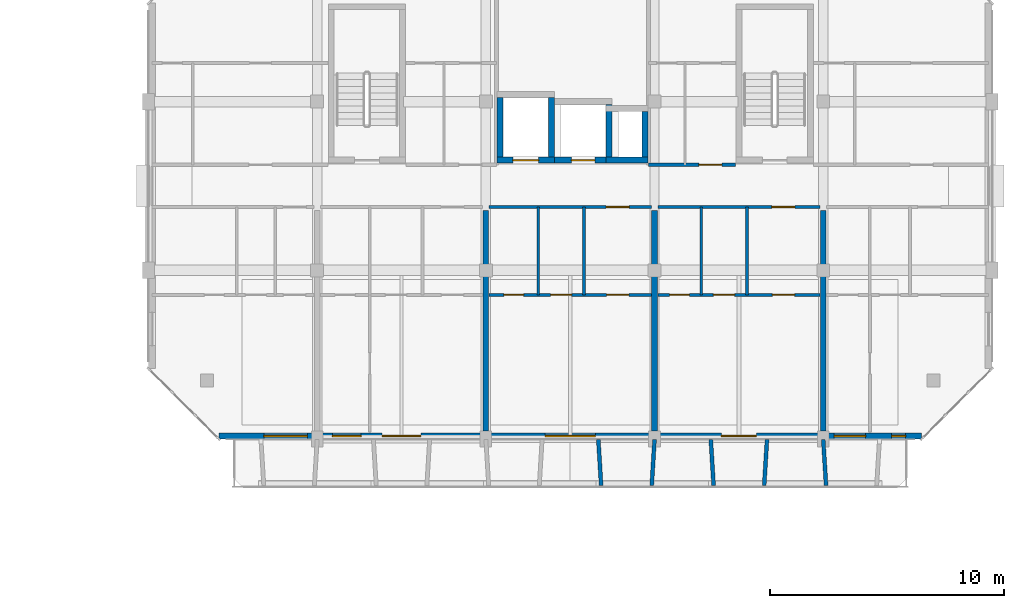
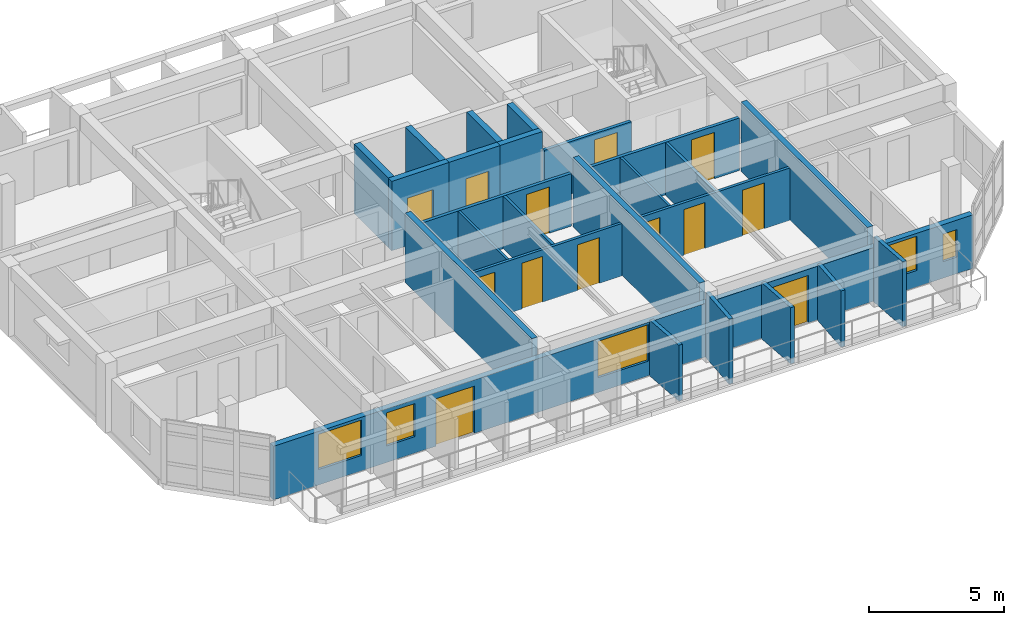
# One storey, part 41 of 64: 25 walls, 13 doors, 5 windows, 18 openings.
"""IFC4 building model written with IfcOpenShell, lengths in metres."""

from ifc_helpers import new_model, si_unit, direction, frame, frame_2d, origin, place, context, subcontext, project, spatial, rectangle, extrude, material, layer, layer_set, type_object, element, fill, save


model = new_model("IFC4")

# Units and contexts
model_context = context("Model", 3, precision=1e-05, world=origin(), true_north=direction((0.0, 1.0)))
body_context = subcontext(model_context, "Body", "Model", "MODEL_VIEW")
ifc_project = project(units=[si_unit("LENGTHUNIT", "METRE"), si_unit("AREAUNIT", "SQUARE_METRE"), si_unit("VOLUMEUNIT", "CUBIC_METRE"), si_unit("PLANEANGLEUNIT", "RADIAN"), si_unit("MASSUNIT", "GRAM", prefix="KILO")], contexts=[model_context])

# Site, building, storey
site_placement = place(None, origin())
site = spatial("IfcSite", under=ifc_project, at=site_placement, CompositionType="ELEMENT")
building_placement = place(site_placement, origin())
building = spatial("IfcBuilding", under=site, at=building_placement, Name="Ochrevale Crest", CompositionType="ELEMENT")
storey_placement = place(building_placement, frame((0.0, 0.0, 8.699951171875)))
storey = spatial("IfcBuildingStorey", under=building, at=storey_placement, Name="L02", CompositionType="ELEMENT", Elevation=8.699951171875)

# Wall, opening, door
ifc_material_1 = material(Name="Gypsum plasterboard", Category="gypsum")
ifc_layer_1 = layer(ifc_material_1, 0.139892578125)
ifc_layer_set_1 = layer_set([ifc_layer_1], Name="Gypsum plasterboard")
wall_type_1 = type_object("IfcWallType", Name="WL-COR-140", PredefinedType="PARTITIONING", material=ifc_layer_set_1)
wall_1_placement = place(storey_placement, frame((144.139892578125, 24.300048828125, 0.0), z_axis=(0.0, 0.0, 1.0), x_axis=(1.0, 0.0, 0.0)))
wall_1 = element("IfcWall", 1, at=wall_1_placement, inside=storey, type_object=wall_type_1, Name="Apartment C-L02-U3 corridor wall", PredefinedType="PARTITIONING", context=body_context, shape_type="SweptSolid", body=[
    extrude(rectangle(XDim=6.920166015625, YDim=0.139892578125, at=frame_2d((3.4599609375, 0.0))), origin(), (0.0, 0.0, 1.0), 2.380126953125),
])
opening_1_placement = place(wall_1_placement, frame((4.9951171875, 0.0, 0.0)))
opening_1 = element("IfcOpeningElement", 2, at=opening_1_placement, cuts=wall_1, Name="Opening FD01", PredefinedType="OPENING", context=body_context, shape_type="SweptSolid", body=[
    extrude(rectangle(XDim=0.97998046875, YDim=2.10009765625, at=frame_2d((0.489990234375, 1.050048828125))), frame((0.0, 0.080078125, 0.0), z_axis=(0.0, -1.0, 0.0), x_axis=(1.0, 0.0, 0.0)), (0.0, 0.0, 1.0), 0.159912109375),
])
ifc_material_2 = material(Name="Solid-core FSC hardwood", Category="wood")
door_type_1 = type_object("IfcDoorType", Name="DR-APT-950", OperationType="NOTDEFINED", PredefinedType="DOOR", material=ifc_material_2)
door_1_placement = place(opening_1_placement, origin())
door_1 = element("IfcDoor", 3, at=door_1_placement, inside=storey, type_object=door_type_1, Name="Apartment C-L02-U3 entrance door", OperationType="SINGLE_SWING_LEFT", OverallHeight=2.10009765625, OverallWidth=0.97998046875, PredefinedType="DOOR", context=body_context, shape_type="SweptSolid", body=[
    extrude(rectangle(XDim=0.97998046875, YDim=2.10009765625, at=frame_2d((0.489990234375, 1.050048828125))), frame((0.0, 0.02490234375, 0.0), z_axis=(0.0, -1.0, 0.0), x_axis=(1.0, 0.0, 0.0)), (0.0, 0.0, 1.0), 0.050048828125),
])
fill(opening_1, door_1)

wall_2_placement = place(storey_placement, frame((151.340087890625, 24.300048828125, 0.0), z_axis=(0.0, 0.0, 1.0), x_axis=(1.0, 0.0, 0.0)))
wall_2 = element("IfcWall", 4, at=wall_2_placement, inside=storey, type_object=wall_type_1, Name="Apartment C-L02-U4 corridor wall", PredefinedType="PARTITIONING", context=body_context, shape_type="SweptSolid", body=[
    extrude(rectangle(XDim=6.919921875, YDim=0.139892578125, at=frame_2d((3.4599609375, 0.0))), origin(), (0.0, 0.0, 1.0), 2.380126953125),
])
opening_2_placement = place(wall_2_placement, frame((4.8701171875, 0.0, 0.0)))
opening_2 = element("IfcOpeningElement", 5, at=opening_2_placement, cuts=wall_2, Name="Opening FD01", PredefinedType="OPENING", context=body_context, shape_type="SweptSolid", body=[
    extrude(rectangle(XDim=0.97998046875, YDim=2.10009765625, at=frame_2d((0.489990234375, 1.050048828125))), frame((0.0, 0.080078125, 0.0), z_axis=(0.0, -1.0, 0.0), x_axis=(1.0, 0.0, 0.0)), (0.0, 0.0, 1.0), 0.159912109375),
])
door_2_placement = place(opening_2_placement, origin())
door_2 = element("IfcDoor", 6, at=door_2_placement, inside=storey, type_object=door_type_1, Name="Apartment C-L02-U4 entrance door", OperationType="SINGLE_SWING_LEFT", OverallHeight=2.10009765625, OverallWidth=0.97998046875, PredefinedType="DOOR", context=body_context, shape_type="SweptSolid", body=[
    extrude(rectangle(XDim=0.97998046875, YDim=2.10009765625, at=frame_2d((0.489990234375, 1.050048828125))), frame((0.0, 0.02490234375, 0.0), z_axis=(0.0, -1.0, 0.0), x_axis=(1.0, 0.0, 0.0)), (0.0, 0.0, 1.0), 0.050048828125),
])
fill(opening_2, door_2)

wall_3_placement = place(storey_placement, frame((150.93994140625, 26.10009765625, 0.0), z_axis=(0.0, 0.0, 1.0), x_axis=(1.0, 0.0, 0.0)))
wall_3 = element("IfcWall", 7, at=wall_3_placement, inside=storey, type_object=wall_type_1, Name="Suite C-L02-ME corridor wall", PredefinedType="PARTITIONING", context=body_context, shape_type="SweptSolid", body=[
    extrude(rectangle(XDim=3.719970703125, YDim=0.139892578125, at=frame_2d((1.85986328125, 0.0))), origin(), (0.0, 0.0, 1.0), 2.380126953125),
])
opening_3_placement = place(wall_3_placement, frame((3.131103515625, 0.0, 0.0), z_axis=(0.0, 0.0, 1.0), x_axis=(-1.0, 0.0, 0.0)))
opening_3 = element("IfcOpeningElement", 8, at=opening_3_placement, cuts=wall_3, Name="Opening FD01", PredefinedType="OPENING", context=body_context, shape_type="SweptSolid", body=[
    extrude(rectangle(XDim=0.97998046875, YDim=2.10009765625, at=frame_2d((0.489990234375, 1.050048828125))), frame((0.0, 0.080078125, 0.0), z_axis=(0.0, -1.0, 0.0), x_axis=(1.0, 0.0, 0.0)), (0.0, 0.0, 1.0), 0.159912109375),
])
door_3_placement = place(opening_3_placement, origin())
door_3 = element("IfcDoor", 9, at=door_3_placement, inside=storey, type_object=door_type_1, Name="Suite C-L02-ME entrance door", OperationType="SINGLE_SWING_RIGHT", OverallHeight=2.10009765625, OverallWidth=0.97998046875, PredefinedType="DOOR", context=body_context, shape_type="SweptSolid", body=[
    extrude(rectangle(XDim=0.97998046875, YDim=2.10009765625, at=frame_2d((0.489990234375, 1.050048828125))), frame((0.0, 0.02490234375, 0.0), z_axis=(0.0, -1.0, 0.0), x_axis=(1.0, 0.0, 0.0)), (0.0, 0.0, 1.0), 0.050048828125),
])
fill(opening_3, door_3)

ifc_material_3 = material(Name="Precast concrete C50/60", Category="concrete")
ifc_layer_2 = layer(ifc_material_3, 0.2548828125)
ifc_layer_set_2 = layer_set([ifc_layer_2], Name="Precast concrete C50/60")
wall_type_2 = type_object("IfcWallType", Name="WL-CORE-255", PredefinedType="SHEAR", material=ifc_layer_set_2)
wall_4_placement = place(storey_placement, frame((144.472412109375, 26.300048828125, 0.0), z_axis=(0.0, 0.0, 1.0), x_axis=(1.0, 0.0, 0.0)))
wall_4 = element("IfcWall", 10, at=wall_4_placement, inside=storey, type_object=wall_type_2, Name="Block C L02 Lift 1 precast shaft shear wall S", PredefinedType="SHEAR", context=body_context, shape_type="SweptSolid", body=[
    extrude(rectangle(XDim=2.455078125, YDim=0.2548828125, at=frame_2d((1.2275390625, 0.0))), origin(), (0.0, 0.0, 1.0), 3.150146484375),
])
opening_4_placement = place(wall_4_placement, frame((0.677490234375, 0.0, 0.0)))
opening_4 = element("IfcOpeningElement", 11, at=opening_4_placement, cuts=wall_4, Name="Opening LD01", PredefinedType="OPENING", context=body_context, shape_type="SweptSolid", body=[
    extrude(rectangle(XDim=1.10009765625, YDim=2.14990234375, at=frame_2d((0.550048828125, 1.074951171875))), frame((0.0, 0.137451171875, 0.0), z_axis=(0.0, -1.0, 0.0), x_axis=(1.0, 0.0, 0.0)), (0.0, 0.0, 1.0), 0.27490234375),
])
door_type_2 = type_object("IfcDoorType", Name="DR-LIFT-1100", OperationType="NOTDEFINED", PredefinedType="DOOR", material=ifc_material_2)
door_4_placement = place(opening_4_placement, origin())
door_4 = element("IfcDoor", 12, at=door_4_placement, inside=storey, type_object=door_type_2, Name="Lift LF-C1 L02 sliding landing door", OperationType="SLIDING_TO_LEFT", OverallHeight=2.14990234375, OverallWidth=1.10009765625, PredefinedType="DOOR", context=body_context, shape_type="SweptSolid", body=[
    extrude(rectangle(XDim=1.10009765625, YDim=2.14990234375, at=frame_2d((0.550048828125, 1.074951171875))), frame((0.0, 0.02490234375, 0.0), z_axis=(0.0, -1.0, 0.0), x_axis=(1.0, 0.0, 0.0)), (0.0, 0.0, 1.0), 0.050048828125),
])
fill(opening_4, door_4)

# Walls
for number, where, z_axis, x_axis, name in (
    (13, (144.60009765625, 26.427490234375, 0.0), (0.0, 0.0, 1.0), (0.0, 1.0, 0.0), "Block C L02 Lift 1 precast shaft shear wall W"),
    (14, (146.800048828125, 26.427490234375, 0.0), (0.0, 0.0, 1.0), (0.0, 1.0, 0.0), "Block C L02 Lift 1 precast shaft shear wall E"),
):
    element("IfcWall", number, at=place(storey_placement, frame(where, z_axis=z_axis, x_axis=x_axis)), inside=storey, type_object=wall_type_2, Name=name, PredefinedType="SHEAR", context=body_context, shape_type="SweptSolid", body=[
        extrude(rectangle(XDim=2.544921875, YDim=0.2548828125, at=frame_2d((1.2724609375, 0.0))), origin(), (0.0, 0.0, 1.0), 3.150146484375),
    ])

# Wall, opening, door
wall_5_placement = place(storey_placement, frame((146.922607421875, 26.300048828125, 0.0), z_axis=(0.0, 0.0, 1.0), x_axis=(1.0, 0.0, 0.0)))
wall_5 = element("IfcWall", 15, at=wall_5_placement, inside=storey, type_object=wall_type_2, Name="Block C L02 Lift 2 precast shaft shear wall S", PredefinedType="SHEAR", context=body_context, shape_type="SweptSolid", body=[
    extrude(rectangle(XDim=2.454833984375, YDim=0.2548828125, at=frame_2d((1.2275390625, 0.0))), origin(), (0.0, 0.0, 1.0), 3.150146484375),
])
opening_5_placement = place(wall_5_placement, frame((0.7275390625, 0.0, 0.0)))
opening_5 = element("IfcOpeningElement", 16, at=opening_5_placement, cuts=wall_5, Name="Opening LD02", PredefinedType="OPENING", context=body_context, shape_type="SweptSolid", body=[
    extrude(rectangle(XDim=1.0, YDim=2.14990234375, at=frame_2d((0.5, 1.074951171875))), frame((0.0, 0.137451171875, 0.0), z_axis=(0.0, -1.0, 0.0), x_axis=(1.0, 0.0, 0.0)), (0.0, 0.0, 1.0), 0.27490234375),
])
door_type_3 = type_object("IfcDoorType", Name="DR-LIFT-1000", OperationType="NOTDEFINED", PredefinedType="DOOR", material=ifc_material_2)
door_5_placement = place(opening_5_placement, origin())
door_5 = element("IfcDoor", 17, at=door_5_placement, inside=storey, type_object=door_type_3, Name="Lift LP-C2 L02 sliding landing door", OperationType="SLIDING_TO_RIGHT", OverallHeight=2.14990234375, OverallWidth=1.0, PredefinedType="DOOR", context=body_context, shape_type="SweptSolid", body=[
    extrude(rectangle(XDim=1.0, YDim=2.14990234375, at=frame_2d((0.5, 1.074951171875))), frame((0.0, 0.02490234375, 0.0), z_axis=(0.0, -1.0, 0.0), x_axis=(1.0, 0.0, 0.0)), (0.0, 0.0, 1.0), 0.050048828125),
])
fill(opening_5, door_5)

# Walls
wall_6_placement = place(storey_placement, frame((149.25, 26.427490234375, 0.0), z_axis=(0.0, 0.0, 1.0), x_axis=(0.0, 1.0, 0.0)))
element("IfcWall", 18, at=wall_6_placement, inside=storey, type_object=wall_type_2, Name="Block C L02 Lift 2 precast shaft shear wall E", PredefinedType="SHEAR", context=body_context, shape_type="SweptSolid", body=[
    extrude(rectangle(XDim=2.2451171875, YDim=0.2548828125, at=frame_2d((1.12255859375, 0.0))), origin(), (0.0, 0.0, 1.0), 3.150146484375),
])
wall_7_placement = place(storey_placement, frame((149.12255859375, 26.300048828125, 0.0), z_axis=(0.0, 0.0, 1.0), x_axis=(1.0, 0.0, 0.0)))
element("IfcWall", 19, at=wall_7_placement, inside=storey, type_object=wall_type_2, Name="Block C L02 services riser shaft core wall S", PredefinedType="SHEAR", context=body_context, shape_type="SweptSolid", body=[
    extrude(rectangle(XDim=1.804931640625, YDim=0.2548828125, at=frame_2d((0.90234375, 0.0))), origin(), (0.0, 0.0, 1.0), 3.150146484375),
])
wall_8_placement = place(storey_placement, frame((150.800048828125, 26.427490234375, 0.0), z_axis=(0.0, 0.0, 1.0), x_axis=(0.0, 1.0, 0.0)))
element("IfcWall", 20, at=wall_8_placement, inside=storey, type_object=wall_type_2, Name="Block C L02 services riser shaft core wall E", PredefinedType="SHEAR", context=body_context, shape_type="SweptSolid", body=[
    extrude(rectangle(XDim=1.945068359375, YDim=0.2548828125, at=frame_2d((0.97265625, 0.0))), origin(), (0.0, 0.0, 1.0), 3.150146484375),
])

# Wall, openings, doors, windows
ifc_material_4 = material(Name="Precast concrete C40/50", Category="concrete")
ifc_layer_3 = layer(ifc_material_4, 0.25)
ifc_layer_set_3 = layer_set([ifc_layer_3], Name="Precast concrete C40/50")
wall_type_3 = type_object("IfcWallType", Name="WL-EXT-GOLD-250", PredefinedType="SOLIDWALL", material=ifc_layer_set_3)
wall_9_placement = place(storey_placement, frame((132.60009765625, 14.52490234375, 0.0), z_axis=(0.0, 0.0, 1.0), x_axis=(1.0, 0.0, 0.0)))
wall_9 = element("IfcWall", 21, at=wall_9_placement, inside=storey, type_object=wall_type_3, Name="Block C L02 external facade wall E1", PredefinedType="SOLIDWALL", context=body_context, shape_type="SweptSolid", body=[
    extrude(rectangle(XDim=30.0, YDim=0.25, at=frame_2d((15.0, 0.0))), origin(), (0.0, 0.0, 1.0), 2.429931640625),
])
opening_6_placement = place(wall_9_placement, frame((8.625, 0.0, 0.0), z_axis=(0.0, 0.0, 1.0), x_axis=(-1.0, 0.0, 0.0)))
opening_6 = element("IfcOpeningElement", 22, at=opening_6_placement, cuts=wall_9, Name="Opening BD02", PredefinedType="OPENING", context=body_context, shape_type="SweptSolid", body=[
    extrude(rectangle(XDim=1.64990234375, YDim=2.14990234375, at=frame_2d((0.824951171875, 1.074951171875))), frame((0.0, 0.135009765625, 0.0), z_axis=(0.0, -1.0, 0.0), x_axis=(1.0, 0.0, 0.0)), (0.0, 0.0, 1.0), 0.27001953125),
])
opening_7_placement = place(wall_9_placement, frame((22.949951171875, 0.0, 0.0), z_axis=(0.0, 0.0, 1.0), x_axis=(-1.0, 0.0, 0.0)))
opening_7 = element("IfcOpeningElement", 23, at=opening_7_placement, cuts=wall_9, Name="Opening BD01", PredefinedType="OPENING", context=body_context, shape_type="SweptSolid", body=[
    extrude(rectangle(XDim=1.5, YDim=2.14990234375, at=frame_2d((0.75, 1.074951171875))), frame((0.0, 0.135009765625, 0.0), z_axis=(0.0, -1.0, 0.0), x_axis=(1.0, 0.0, 0.0)), (0.0, 0.0, 1.0), 0.27001953125),
])
opening_8_placement = place(wall_9_placement, frame((1.925048828125, 0.0, 0.699951171875)))
opening_8 = element("IfcOpeningElement", 24, at=opening_8_placement, cuts=wall_9, Name="Opening W11", PredefinedType="OPENING", context=body_context, shape_type="SweptSolid", body=[
    extrude(rectangle(XDim=1.860107421875, YDim=1.60009765625, at=frame_2d((0.93017578125, 0.800048828125))), frame((0.0, 0.135009765625, 0.0), z_axis=(0.0, -1.0, 0.0), x_axis=(1.0, 0.0, 0.0)), (0.0, 0.0, 1.0), 0.27001953125),
])
opening_9_placement = place(wall_9_placement, frame((4.85009765625, 0.0, 0.75)))
opening_9 = element("IfcOpeningElement", 25, at=opening_9_placement, cuts=wall_9, Name="Opening W06", PredefinedType="OPENING", context=body_context, shape_type="SweptSolid", body=[
    extrude(rectangle(XDim=1.219970703125, YDim=1.5, at=frame_2d((0.60986328125, 0.75))), frame((0.0, 0.135009765625, 0.0), z_axis=(0.0, -1.0, 0.0), x_axis=(1.0, 0.0, 0.0)), (0.0, 0.0, 1.0), 0.27001953125),
])
opening_10_placement = place(wall_9_placement, frame((13.925048828125, 0.0, 0.669921875)))
opening_10 = element("IfcOpeningElement", 26, at=opening_10_placement, cuts=wall_9, Name="Opening W13", PredefinedType="OPENING", context=body_context, shape_type="SweptSolid", body=[
    extrude(rectangle(XDim=2.14990234375, YDim=1.64990234375, at=frame_2d((1.074951171875, 0.824951171875))), frame((0.0, 0.135009765625, 0.0), z_axis=(0.0, -1.0, 0.0), x_axis=(1.0, 0.0, 0.0)), (0.0, 0.0, 1.0), 0.27001953125),
])
opening_11_placement = place(wall_9_placement, frame((26.264892578125, 0.0, 0.75)))
opening_11 = element("IfcOpeningElement", 27, at=opening_11_placement, cuts=wall_9, Name="Opening W07", PredefinedType="OPENING", context=body_context, shape_type="SweptSolid", body=[
    extrude(rectangle(XDim=1.340087890625, YDim=1.550048828125, at=frame_2d((0.669921875, 0.77490234375))), frame((0.0, 0.135009765625, 0.0), z_axis=(0.0, -1.0, 0.0), x_axis=(1.0, 0.0, 0.0)), (0.0, 0.0, 1.0), 0.27001953125),
])
opening_12_placement = place(wall_9_placement, frame((28.715087890625, 0.0, 0.75)))
opening_12 = element("IfcOpeningElement", 28, at=opening_12_placement, cuts=wall_9, Name="Opening W01", PredefinedType="OPENING", context=body_context, shape_type="SweptSolid", body=[
    extrude(rectangle(XDim=0.60009765625, YDim=1.25, at=frame_2d((0.300048828125, 0.625))), frame((0.0, 0.135009765625, 0.0), z_axis=(0.0, -1.0, 0.0), x_axis=(1.0, 0.0, 0.0)), (0.0, 0.0, 1.0), 0.27001953125),
])
ifc_material_5 = material(Name="Anodised aluminium 6063-T5 and toughened glass", Category="aluminium")
door_type_4 = type_object("IfcDoorType", Name="DR-BAL-1500", OperationType="NOTDEFINED", PredefinedType="DOOR", material=ifc_material_5)
door_6_placement = place(opening_7_placement, origin())
door_6 = element("IfcDoor", 29, at=door_6_placement, inside=storey, type_object=door_type_4, Name="Block C L02 balcony door S4", OperationType="SINGLE_SWING_LEFT", OverallHeight=2.14990234375, OverallWidth=1.5, PredefinedType="DOOR", context=body_context, shape_type="SweptSolid", body=[
    extrude(rectangle(XDim=1.5, YDim=2.14990234375, at=frame_2d((0.75, 1.074951171875))), frame((0.0, 0.02490234375, 0.0), z_axis=(0.0, -1.0, 0.0), x_axis=(1.0, 0.0, 0.0)), (0.0, 0.0, 1.0), 0.050048828125),
])
fill(opening_7, door_6)
door_type_5 = type_object("IfcDoorType", Name="DR-BAL-1650", OperationType="NOTDEFINED", PredefinedType="DOOR", material=ifc_material_5)
door_7_placement = place(opening_6_placement, origin())
door_7 = element("IfcDoor", 30, at=door_7_placement, inside=storey, type_object=door_type_5, Name="Block C L02 balcony door S2", OperationType="SINGLE_SWING_RIGHT", OverallHeight=2.14990234375, OverallWidth=1.64990234375, PredefinedType="DOOR", context=body_context, shape_type="SweptSolid", body=[
    extrude(rectangle(XDim=1.64990234375, YDim=2.14990234375, at=frame_2d((0.824951171875, 1.074951171875))), frame((0.0, 0.02490234375, 0.0), z_axis=(0.0, -1.0, 0.0), x_axis=(1.0, 0.0, 0.0)), (0.0, 0.0, 1.0), 0.050048828125),
])
fill(opening_6, door_7)
ifc_material_6 = material(Name="Anodised aluminium 6063-T5 and low-E double glazing", Category="aluminium")
window_type_1 = type_object("IfcWindowType", Name="WIN-W01", PartitioningType="SINGLE_PANEL", PredefinedType="WINDOW", material=ifc_material_6)
window_1_placement = place(opening_12_placement, origin())
window_1 = element("IfcWindow", 31, at=window_1_placement, inside=storey, type_object=window_type_1, Name="Block C L02 Apartment C-L02-U5 Two Bedroom Living Room window", OverallHeight=1.25, OverallWidth=0.60009765625, PartitioningType="SINGLE_PANEL", PredefinedType="WINDOW", context=body_context, shape_type="SweptSolid", body=[
    extrude(rectangle(XDim=0.60009765625, YDim=1.25, at=frame_2d((0.300048828125, 0.625))), frame((0.0, 0.030029296875, 0.0), z_axis=(0.0, -1.0, 0.0), x_axis=(1.0, 0.0, 0.0)), (0.0, 0.0, 1.0), 0.06005859375),
])
fill(opening_12, window_1)
window_type_2 = type_object("IfcWindowType", Name="WIN-W06", PartitioningType="SINGLE_PANEL", PredefinedType="WINDOW", material=ifc_material_6)
window_2_placement = place(opening_9_placement, origin())
window_2 = element("IfcWindow", 32, at=window_2_placement, inside=storey, type_object=window_type_2, Name="Block C L02 Apartment C-L02-U2 Master Bedroom window", OverallHeight=1.5, OverallWidth=1.219970703125, PartitioningType="SINGLE_PANEL", PredefinedType="WINDOW", context=body_context, shape_type="SweptSolid", body=[
    extrude(rectangle(XDim=1.219970703125, YDim=1.5, at=frame_2d((0.60986328125, 0.75))), frame((0.0, 0.030029296875, 0.0), z_axis=(0.0, -1.0, 0.0), x_axis=(1.0, 0.0, 0.0)), (0.0, 0.0, 1.0), 0.06005859375),
])
fill(opening_9, window_2)
window_type_3 = type_object("IfcWindowType", Name="WIN-W07", PartitioningType="SINGLE_PANEL", PredefinedType="WINDOW", material=ifc_material_6)
window_3_placement = place(opening_11_placement, origin())
window_3 = element("IfcWindow", 33, at=window_3_placement, inside=storey, type_object=window_type_3, Name="Block C L02 Apartment C-L02-U5 Double Bedroom window", OverallHeight=1.550048828125, OverallWidth=1.340087890625, PartitioningType="SINGLE_PANEL", PredefinedType="WINDOW", context=body_context, shape_type="SweptSolid", body=[
    extrude(rectangle(XDim=1.340087890625, YDim=1.550048828125, at=frame_2d((0.669921875, 0.77490234375))), frame((0.0, 0.030029296875, 0.0), z_axis=(0.0, -1.0, 0.0), x_axis=(1.0, 0.0, 0.0)), (0.0, 0.0, 1.0), 0.06005859375),
])
fill(opening_11, window_3)
window_type_4 = type_object("IfcWindowType", Name="WIN-W11", PartitioningType="SINGLE_PANEL", PredefinedType="WINDOW", material=ifc_material_6)
window_4_placement = place(opening_8_placement, origin())
window_4 = element("IfcWindow", 34, at=window_4_placement, inside=storey, type_object=window_type_4, Name="Block C L02 Studio C-L02-U1 Living Room window", OverallHeight=1.60009765625, OverallWidth=1.860107421875, PartitioningType="SINGLE_PANEL", PredefinedType="WINDOW", context=body_context, shape_type="SweptSolid", body=[
    extrude(rectangle(XDim=1.860107421875, YDim=1.60009765625, at=frame_2d((0.93017578125, 0.800048828125))), frame((0.0, 0.030029296875, 0.0), z_axis=(0.0, -1.0, 0.0), x_axis=(1.0, 0.0, 0.0)), (0.0, 0.0, 1.0), 0.06005859375),
])
fill(opening_8, window_4)
window_type_5 = type_object("IfcWindowType", Name="WIN-W13", PartitioningType="SINGLE_PANEL", PredefinedType="WINDOW", material=ifc_material_6)
window_5_placement = place(opening_10_placement, origin())
window_5 = element("IfcWindow", 35, at=window_5_placement, inside=storey, type_object=window_type_5, Name="Block C L02 Studio C-L02-U3 Living Room window", OverallHeight=1.64990234375, OverallWidth=2.14990234375, PartitioningType="SINGLE_PANEL", PredefinedType="WINDOW", context=body_context, shape_type="SweptSolid", body=[
    extrude(rectangle(XDim=2.14990234375, YDim=1.64990234375, at=frame_2d((1.074951171875, 0.824951171875))), frame((0.0, 0.030029296875, 0.0), z_axis=(0.0, -1.0, 0.0), x_axis=(1.0, 0.0, 0.0)), (0.0, 0.0, 1.0), 0.06005859375),
])
fill(opening_10, window_5)

# Walls
ifc_layer_4 = layer(ifc_material_4, 0.1650390625)
ifc_layer_set_4 = layer_set([ifc_layer_4], Name="Precast concrete C40/50")
wall_type_4 = type_object("IfcWallType", Name="WL-HC-CHEEK-165", PredefinedType="ELEMENTEDWALL", material=ifc_layer_set_4)
wall_10_placement = place(storey_placement, frame((148.800048828125, 14.3798828125, 0.0), z_axis=(0.0, 0.0, 1.0), x_axis=(0.061046865508, -0.998134900808, 0.0)))
element("IfcWall", 36, at=wall_10_placement, inside=storey, type_object=wall_type_4, Name="Block C L02 S precast honeycomb cheek 7", PredefinedType="ELEMENTEDWALL", context=body_context, shape_type="SweptSolid", body=[
    extrude(rectangle(XDim=1.963623046875, YDim=0.1650390625, at=frame_2d((0.98193359375, 0.0))), origin(), (0.0, 0.0, 1.0), 2.530029296875),
])
wall_11_placement = place(storey_placement, frame((151.199951171875, 14.3798828125, 0.0), z_axis=(0.0, 0.0, 1.0), x_axis=(-0.061046865508, -0.998134900808, 0.0)))
element("IfcWall", 37, at=wall_11_placement, inside=storey, type_object=wall_type_4, Name="Block C L02 S precast honeycomb cheek 8", PredefinedType="ELEMENTEDWALL", context=body_context, shape_type="SweptSolid", body=[
    extrude(rectangle(XDim=1.963623046875, YDim=0.1650390625, at=frame_2d((0.98193359375, 0.0))), origin(), (0.0, 0.0, 1.0), 2.949951171875),
])
for number, where, z_axis, x_axis, name in (
    (38, (153.60009765625, 14.3798828125, 0.0), (0.0, 0.0, 1.0), (0.061046865508, -0.998134900808, 0.0), "Block C L02 S precast honeycomb cheek 9"),
    (39, (156.0, 14.3798828125, 0.0), (0.0, 0.0, 1.0), (-0.061170732449, -0.998127317276, 0.0), "Block C L02 S precast honeycomb cheek 10"),
):
    element("IfcWall", number, at=place(storey_placement, frame(where, z_axis=z_axis, x_axis=x_axis)), inside=storey, type_object=wall_type_4, Name=name, PredefinedType="ELEMENTEDWALL", context=body_context, shape_type="SweptSolid", body=[
        extrude(rectangle(XDim=1.963623046875, YDim=0.1650390625, at=frame_2d((0.98193359375, 0.0))), origin(), (0.0, 0.0, 1.0), 2.550048828125),
    ])
wall_12_placement = place(storey_placement, frame((158.39990234375, 14.3798828125, 0.0), z_axis=(0.0, 0.0, 1.0), x_axis=(0.061170732449, -0.998127317276, 0.0)))
element("IfcWall", 40, at=wall_12_placement, inside=storey, type_object=wall_type_4, Name="Block C L02 S precast honeycomb cheek 11", PredefinedType="ELEMENTEDWALL", context=body_context, shape_type="SweptSolid", body=[
    extrude(rectangle(XDim=1.963623046875, YDim=0.1650390625, at=frame_2d((0.98193359375, 0.0))), origin(), (0.0, 0.0, 1.0), 2.949951171875),
])
ifc_layer_5 = layer(ifc_material_1, 0.1201171875)
ifc_layer_set_5 = layer_set([ifc_layer_5], Name="Gypsum plasterboard")
wall_type_5 = type_object("IfcWallType", Name="WL-PART-120", PredefinedType="PARTITIONING", material=ifc_layer_set_5)
wall_13_placement = place(storey_placement, frame((148.18994140625, 20.550048828125, 0.0), z_axis=(0.0, 0.0, 1.0), x_axis=(0.0, 1.0, 0.0)))
element("IfcWall", 41, at=wall_13_placement, inside=storey, type_object=wall_type_5, Name="Apartment C-L02-U3 kitchen-foyer wall", PredefinedType="PARTITIONING", context=body_context, shape_type="SweptSolid", body=[
    extrude(rectangle(XDim=3.75, YDim=0.1201171875, at=frame_2d((1.875, 0.0))), origin(), (0.0, 0.0, 1.0), 2.375),
])

# Wall, openings, doors
wall_14_placement = place(storey_placement, frame((144.139892578125, 20.550048828125, 0.0), z_axis=(0.0, 0.0, 1.0), x_axis=(1.0, 0.0, 0.0)))
wall_14 = element("IfcWall", 42, at=wall_14_placement, inside=storey, type_object=wall_type_5, Name="Apartment C-L02-U3 central partition", PredefinedType="PARTITIONING", context=body_context, shape_type="SweptSolid", body=[
    extrude(rectangle(XDim=6.920166015625, YDim=0.1201171875, at=frame_2d((3.4599609375, 0.0))), origin(), (0.0, 0.0, 1.0), 2.380126953125),
])
opening_13_placement = place(wall_14_placement, frame((1.47509765625, 0.0, 0.0), z_axis=(0.0, 0.0, 1.0), x_axis=(-1.0, 0.0, 0.0)))
opening_13 = element("IfcOpeningElement", 43, at=opening_13_placement, cuts=wall_14, Name="Opening ID01", PredefinedType="OPENING", context=body_context, shape_type="SweptSolid", body=[
    extrude(rectangle(XDim=0.85009765625, YDim=2.080078125, at=frame_2d((0.425048828125, 1.0400390625))), frame((0.0, 0.070068359375, 0.0), z_axis=(0.0, -1.0, 0.0), x_axis=(1.0, 0.0, 0.0)), (0.0, 0.0, 1.0), 0.14013671875),
])
opening_14_placement = place(wall_14_placement, frame((2.625, 0.0, 0.0)))
opening_14 = element("IfcOpeningElement", 44, at=opening_14_placement, cuts=wall_14, Name="Opening ID02", PredefinedType="OPENING", context=body_context, shape_type="SweptSolid", body=[
    extrude(rectangle(XDim=0.89990234375, YDim=2.080078125, at=frame_2d((0.449951171875, 1.0400390625))), frame((0.0, 0.070068359375, 0.0), z_axis=(0.0, -1.0, 0.0), x_axis=(1.0, 0.0, 0.0)), (0.0, 0.0, 1.0), 0.14013671875),
])
opening_15_placement = place(wall_14_placement, frame((5.9599609375, 0.0, 0.0), z_axis=(0.0, 0.0, 1.0), x_axis=(-1.0, 0.0, 0.0)))
opening_15 = element("IfcOpeningElement", 45, at=opening_15_placement, cuts=wall_14, Name="Opening ID06", PredefinedType="OPENING", context=body_context, shape_type="SweptSolid", body=[
    extrude(rectangle(XDim=0.949951171875, YDim=2.080078125, at=frame_2d((0.47509765625, 1.0400390625))), frame((0.0, 0.070068359375, 0.0), z_axis=(0.0, -1.0, 0.0), x_axis=(1.0, 0.0, 0.0)), (0.0, 0.0, 1.0), 0.14013671875),
])
door_type_6 = type_object("IfcDoorType", Name="DR-INT-900", OperationType="NOTDEFINED", PredefinedType="DOOR", material=ifc_material_2)
door_8_placement = place(opening_14_placement, origin())
door_8 = element("IfcDoor", 46, at=door_8_placement, inside=storey, type_object=door_type_6, Name="Apartment C-L02-U3 Kitchen door", OperationType="SINGLE_SWING_LEFT", OverallHeight=2.080078125, OverallWidth=0.89990234375, PredefinedType="DOOR", context=body_context, shape_type="SweptSolid", body=[
    extrude(rectangle(XDim=0.89990234375, YDim=2.080078125, at=frame_2d((0.449951171875, 1.0400390625))), frame((0.0, 0.02490234375, 0.0), z_axis=(0.0, -1.0, 0.0), x_axis=(1.0, 0.0, 0.0)), (0.0, 0.0, 1.0), 0.050048828125),
])
fill(opening_14, door_8)
door_type_7 = type_object("IfcDoorType", Name="DR-INT-950", OperationType="NOTDEFINED", PredefinedType="DOOR", material=ifc_material_2)
door_9_placement = place(opening_15_placement, origin())
door_9 = element("IfcDoor", 47, at=door_9_placement, inside=storey, type_object=door_type_7, Name="Apartment C-L02-U3 Living Foyer door", OperationType="SINGLE_SWING_RIGHT", OverallHeight=2.080078125, OverallWidth=0.949951171875, PredefinedType="DOOR", context=body_context, shape_type="SweptSolid", body=[
    extrude(rectangle(XDim=0.949951171875, YDim=2.080078125, at=frame_2d((0.47509765625, 1.0400390625))), frame((0.0, 0.02490234375, 0.0), z_axis=(0.0, -1.0, 0.0), x_axis=(1.0, 0.0, 0.0)), (0.0, 0.0, 1.0), 0.050048828125),
])
fill(opening_15, door_9)
door_type_8 = type_object("IfcDoorType", Name="DR-WC-850", OperationType="NOTDEFINED", PredefinedType="DOOR", material=ifc_material_2)
door_10_placement = place(opening_13_placement, origin())
door_10 = element("IfcDoor", 48, at=door_10_placement, inside=storey, type_object=door_type_8, Name="Apartment C-L02-U3 Bathroom door", OperationType="SINGLE_SWING_RIGHT", OverallHeight=2.080078125, OverallWidth=0.85009765625, PredefinedType="DOOR", context=body_context, shape_type="SweptSolid", body=[
    extrude(rectangle(XDim=0.85009765625, YDim=2.080078125, at=frame_2d((0.425048828125, 1.0400390625))), frame((0.0, 0.02490234375, 0.0), z_axis=(0.0, -1.0, 0.0), x_axis=(1.0, 0.0, 0.0)), (0.0, 0.0, 1.0), 0.050048828125),
])
fill(opening_13, door_10)

# Wall
wall_15_placement = place(storey_placement, frame((155.139892578125, 20.550048828125, 0.0), z_axis=(0.0, 0.0, 1.0), x_axis=(0.0, 1.0, 0.0)))
element("IfcWall", 49, at=wall_15_placement, inside=storey, type_object=wall_type_5, Name="Apartment C-L02-U4 kitchen-foyer wall", PredefinedType="PARTITIONING", context=body_context, shape_type="SweptSolid", body=[
    extrude(rectangle(XDim=3.75, YDim=0.1201171875, at=frame_2d((1.875, 0.0))), origin(), (0.0, 0.0, 1.0), 2.375),
])

# Wall, openings, doors
wall_16_placement = place(storey_placement, frame((151.340087890625, 20.550048828125, 0.0), z_axis=(0.0, 0.0, 1.0), x_axis=(1.0, 0.0, 0.0)))
wall_16 = element("IfcWall", 50, at=wall_16_placement, inside=storey, type_object=wall_type_5, Name="Apartment C-L02-U4 central partition", PredefinedType="PARTITIONING", context=body_context, shape_type="SweptSolid", body=[
    extrude(rectangle(XDim=6.919921875, YDim=0.1201171875, at=frame_2d((3.4599609375, 0.0))), origin(), (0.0, 0.0, 1.0), 2.380126953125),
])
opening_16_placement = place(wall_16_placement, frame((1.35009765625, 0.0, 0.0), z_axis=(0.0, 0.0, 1.0), x_axis=(-1.0, 0.0, 0.0)))
opening_16 = element("IfcOpeningElement", 51, at=opening_16_placement, cuts=wall_16, Name="Opening ID01", PredefinedType="OPENING", context=body_context, shape_type="SweptSolid", body=[
    extrude(rectangle(XDim=0.85009765625, YDim=2.080078125, at=frame_2d((0.425048828125, 1.0400390625))), frame((0.0, 0.070068359375, 0.0), z_axis=(0.0, -1.0, 0.0), x_axis=(1.0, 0.0, 0.0)), (0.0, 0.0, 1.0), 0.14013671875),
])
opening_17_placement = place(wall_16_placement, frame((2.375, 0.0, 0.0)))
opening_17 = element("IfcOpeningElement", 52, at=opening_17_placement, cuts=wall_16, Name="Opening ID02", PredefinedType="OPENING", context=body_context, shape_type="SweptSolid", body=[
    extrude(rectangle(XDim=0.89990234375, YDim=2.080078125, at=frame_2d((0.449951171875, 1.0400390625))), frame((0.0, 0.070068359375, 0.0), z_axis=(0.0, -1.0, 0.0), x_axis=(1.0, 0.0, 0.0)), (0.0, 0.0, 1.0), 0.14013671875),
])
opening_18_placement = place(wall_16_placement, frame((5.8349609375, 0.0, 0.0), z_axis=(0.0, 0.0, 1.0), x_axis=(-1.0, 0.0, 0.0)))
opening_18 = element("IfcOpeningElement", 53, at=opening_18_placement, cuts=wall_16, Name="Opening ID06", PredefinedType="OPENING", context=body_context, shape_type="SweptSolid", body=[
    extrude(rectangle(XDim=0.949951171875, YDim=2.080078125, at=frame_2d((0.47509765625, 1.0400390625))), frame((0.0, 0.070068359375, 0.0), z_axis=(0.0, -1.0, 0.0), x_axis=(1.0, 0.0, 0.0)), (0.0, 0.0, 1.0), 0.14013671875),
])
door_11_placement = place(opening_17_placement, origin())
door_11 = element("IfcDoor", 54, at=door_11_placement, inside=storey, type_object=door_type_6, Name="Apartment C-L02-U4 Kitchen door", OperationType="SINGLE_SWING_LEFT", OverallHeight=2.080078125, OverallWidth=0.89990234375, PredefinedType="DOOR", context=body_context, shape_type="SweptSolid", body=[
    extrude(rectangle(XDim=0.89990234375, YDim=2.080078125, at=frame_2d((0.449951171875, 1.0400390625))), frame((0.0, 0.02490234375, 0.0), z_axis=(0.0, -1.0, 0.0), x_axis=(1.0, 0.0, 0.0)), (0.0, 0.0, 1.0), 0.050048828125),
])
fill(opening_17, door_11)
door_12_placement = place(opening_18_placement, origin())
door_12 = element("IfcDoor", 55, at=door_12_placement, inside=storey, type_object=door_type_7, Name="Apartment C-L02-U4 Living Foyer door", OperationType="SINGLE_SWING_RIGHT", OverallHeight=2.080078125, OverallWidth=0.949951171875, PredefinedType="DOOR", context=body_context, shape_type="SweptSolid", body=[
    extrude(rectangle(XDim=0.949951171875, YDim=2.080078125, at=frame_2d((0.47509765625, 1.0400390625))), frame((0.0, 0.02490234375, 0.0), z_axis=(0.0, -1.0, 0.0), x_axis=(1.0, 0.0, 0.0)), (0.0, 0.0, 1.0), 0.050048828125),
])
fill(opening_18, door_12)
door_13_placement = place(opening_16_placement, origin())
door_13 = element("IfcDoor", 56, at=door_13_placement, inside=storey, type_object=door_type_8, Name="Apartment C-L02-U4 Bathroom door", OperationType="SINGLE_SWING_RIGHT", OverallHeight=2.080078125, OverallWidth=0.85009765625, PredefinedType="DOOR", context=body_context, shape_type="SweptSolid", body=[
    extrude(rectangle(XDim=0.85009765625, YDim=2.080078125, at=frame_2d((0.425048828125, 1.0400390625))), frame((0.0, 0.02490234375, 0.0), z_axis=(0.0, -1.0, 0.0), x_axis=(1.0, 0.0, 0.0)), (0.0, 0.0, 1.0), 0.050048828125),
])
fill(opening_16, door_13)

# Walls
ifc_layer_6 = layer(ifc_material_3, 0.239990234375)
ifc_layer_set_6 = layer_set([ifc_layer_6], Name="Precast concrete C50/60")
wall_type_6 = type_object("IfcWallType", Name="WL-SHEAR-240", PredefinedType="SHEAR", material=ifc_layer_set_6)
for number, where, z_axis, x_axis, name in (
    (57, (144.0, 14.75, 0.0), (0.0, 0.0, 1.0), (0.0, 1.0, 0.0), "Block C L02 load-bearing precast cross-wall X=144.0"),
    (58, (151.199951171875, 14.75, 0.0), (0.0, 0.0, 1.0), (0.0, 1.0, 0.0), "Block C L02 load-bearing precast cross-wall X=151.2"),
    (59, (158.39990234375, 14.75, 0.0), (0.0, 0.0, 1.0), (0.0, 1.0, 0.0), "Block C L02 load-bearing precast cross-wall X=158.4"),
):
    element("IfcWall", number, at=place(storey_placement, frame(where, z_axis=z_axis, x_axis=x_axis)), inside=storey, type_object=wall_type_6, Name=name, PredefinedType="SHEAR", context=body_context, shape_type="SweptSolid", body=[
        extrude(rectangle(XDim=9.39990234375, YDim=0.239990234375, at=frame_2d((4.699951171875, 0.0))), origin(), (0.0, 0.0, 1.0), 3.150146484375),
    ])
ifc_layer_7 = layer(ifc_material_1, 0.10009765625)
ifc_layer_set_7 = layer_set([ifc_layer_7], Name="Gypsum plasterboard")
wall_type_7 = type_object("IfcWallType", Name="WL-WET-100", PredefinedType="PARTITIONING", material=ifc_layer_set_7)
for number, where, z_axis, x_axis, name in (
    (60, (146.239990234375, 20.550048828125, 0.0), (0.0, 0.0, 1.0), (0.0, 1.0, 0.0), "Apartment C-L02-U3 bath-kitchen wall"),
    (61, (153.18994140625, 20.550048828125, 0.0), (0.0, 0.0, 1.0), (0.0, 1.0, 0.0), "Apartment C-L02-U4 bath-kitchen wall"),
):
    element("IfcWall", number, at=place(storey_placement, frame(where, z_axis=z_axis, x_axis=x_axis)), inside=storey, type_object=wall_type_7, Name=name, PredefinedType="PARTITIONING", context=body_context, shape_type="SweptSolid", body=[
        extrude(rectangle(XDim=3.75, YDim=0.10009765625, at=frame_2d((1.875, 0.0))), origin(), (0.0, 0.0, 1.0), 2.375),
    ])

save(model, "model.ifc")
